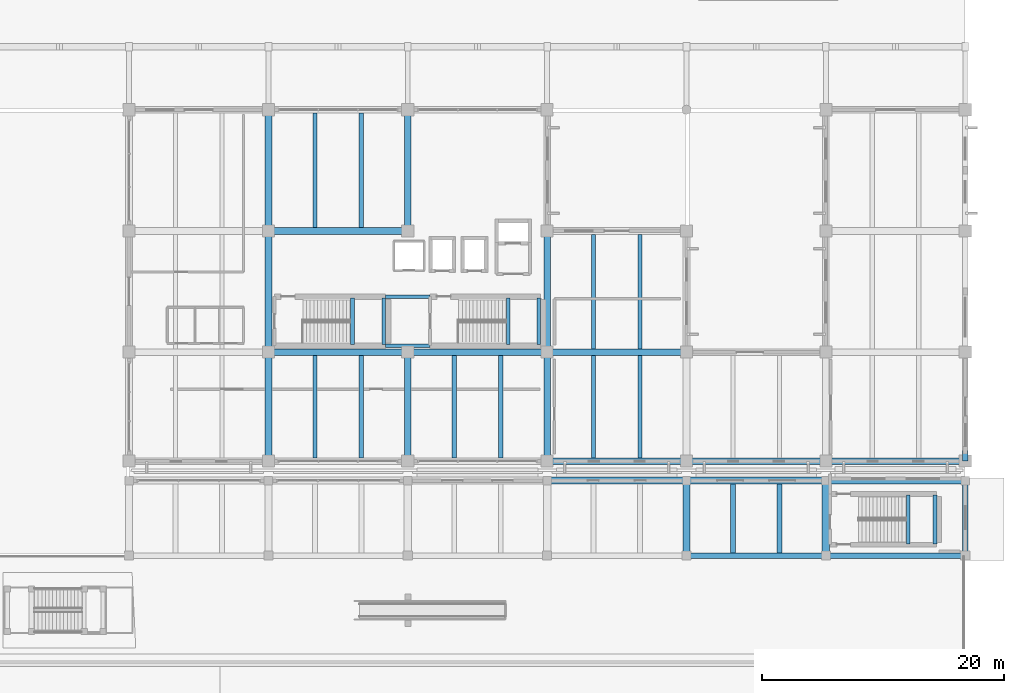
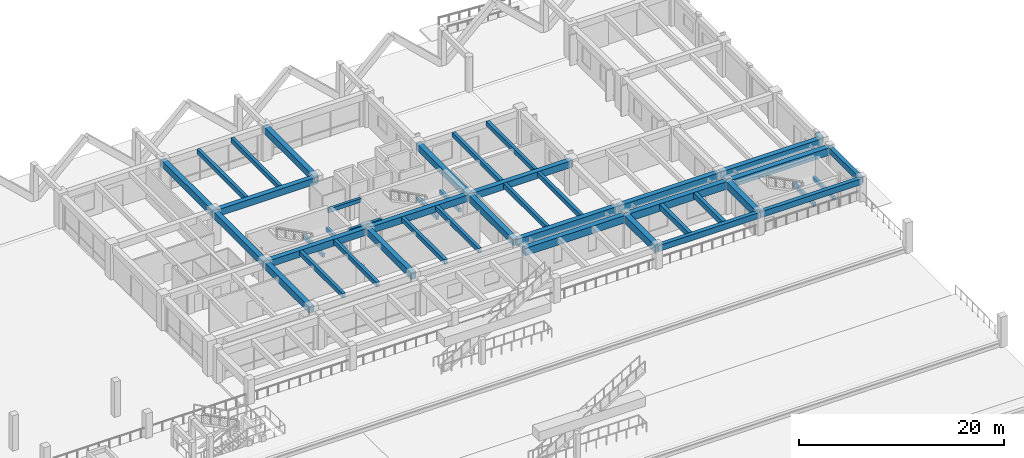
# One storey, part 67 of 109: 43 beams.
"""IFC4 building model written with IfcOpenShell, lengths in metres."""

from ifc_helpers import new_model, si_unit, direction, frame, origin, origin_2d, place, context, subcontext, project, spatial, rectangle, extrude, material, material_profile, profile_set, type_object, element, save


model = new_model("IFC4")

# Units and contexts
model_context = context("Model", 3, precision=1e-05, world=origin(), true_north=direction((0.0, 1.0)))
body_context = subcontext(model_context, "Body", "Model", "MODEL_VIEW")
ifc_project = project(units=[si_unit("LENGTHUNIT", "METRE"), si_unit("AREAUNIT", "SQUARE_METRE"), si_unit("VOLUMEUNIT", "CUBIC_METRE"), si_unit("PLANEANGLEUNIT", "RADIAN"), si_unit("MASSUNIT", "GRAM", prefix="KILO")], contexts=[model_context])

# Site, building, storey
site_placement = place(None, origin())
site = spatial("IfcSite", under=ifc_project, at=site_placement, CompositionType="ELEMENT")
building_placement = place(site_placement, origin())
building = spatial("IfcBuilding", under=site, at=building_placement, Name="Ologun Quay Terminus", CompositionType="ELEMENT")
storey_placement = place(building_placement, origin())
storey = spatial("IfcBuildingStorey", under=building, at=storey_placement, Name="L00", CompositionType="ELEMENT", Elevation=0.0)

# Beams
ifc_material_1 = material(Name="Concrete C40/50", Category="concrete")
ifc_material_profile_1 = material_profile(ifc_material_1, rectangle(XDim=0.300048828125, YDim=0.449951171875, at=origin_2d()), Name="RC 300x450")
ifc_profile_set_1 = profile_set([ifc_material_profile_1], Name="Concrete C40/50")
beam_type_1 = type_object("IfcBeamType", Name="Core Coupling Lintel Beam 300x450", PredefinedType="LINTEL", material=ifc_profile_set_1)
for number, where, z_axis, x_axis, name in (
    (1, (136.14990234375, 95.324951171875, 3.72509765625), (1.0, 0.0, 0.0), (0.0, 1.0, 0.0), "LN1 Beam 13/H L00"),
    (2, (136.14990234375, 99.375, 3.72509765625), (1.0, 0.0, 0.0), (0.0, 1.0, 0.0), "LN1 Beam 13/H L00"),
):
    element("IfcBeam", number, at=place(storey_placement, frame(where, z_axis=z_axis, x_axis=x_axis)), inside=storey, type_object=beam_type_1, Name=name, PredefinedType="LINTEL", context=body_context, shape_type="SweptSolid", body=[
        extrude(rectangle(XDim=0.300048828125, YDim=0.449951171875, at=origin_2d()), origin(), (0.0, 0.0, 1.0), 3.7001953125),
    ])
for number, where, z_axis, x_axis, name in (
    (3, (133.43994140625, 95.429931640625, 1.695068359375), (0.0, 1.0, 0.0), (-1.0, 0.0, 0.0), "LN1 Half-Landing Ledger Beam ST-E1-W L00"),
    (4, (136.010009765625, 95.429931640625, 1.695068359375), (0.0, 1.0, 0.0), (-1.0, 0.0, 0.0), "LN1 Half-Landing Ledger Beam ST-E1-E L00"),
    (5, (146.2900390625, 95.429931640625, 1.695068359375), (0.0, 1.0, 0.0), (-1.0, 0.0, 0.0), "LN1 Half-Landing Ledger Beam ST-E2-W L00"),
    (6, (148.81005859375, 95.429931640625, 1.695068359375), (0.0, 1.0, 0.0), (-1.0, 0.0, 0.0), "LN1 Half-Landing Ledger Beam ST-E2-E L00"),
):
    element("IfcBeam", number, at=place(storey_placement, frame(where, z_axis=z_axis, x_axis=x_axis)), inside=storey, type_object=beam_type_1, Name=name, PredefinedType="LINTEL", context=body_context, shape_type="SweptSolid", body=[
        extrude(rectangle(XDim=0.300048828125, YDim=0.449951171875, at=origin_2d()), origin(), (0.0, 0.0, 1.0), 3.840087890625),
    ])
for number, where, z_axis, x_axis, name in (
    (7, (179.2900390625, 78.97998046875, 1.695068359375), (0.0, 1.0, 0.0), (-1.0, 0.0, 0.0), "LN1 Half-Landing Ledger Beam ST-NG2-W L00"),
    (8, (181.510009765625, 78.97998046875, 1.695068359375), (0.0, 1.0, 0.0), (-1.0, 0.0, 0.0), "LN1 Half-Landing Ledger Beam ST-NG2-E L00"),
):
    element("IfcBeam", number, at=place(storey_placement, frame(where, z_axis=z_axis, x_axis=x_axis)), inside=storey, type_object=beam_type_1, Name=name, PredefinedType="LINTEL", context=body_context, shape_type="SweptSolid", body=[
        extrude(rectangle(XDim=0.300048828125, YDim=0.449951171875, at=origin_2d()), origin(), (0.0, 0.0, 1.0), 4.0400390625),
    ])
ifc_material_2 = material(Name="Concrete C40/50", Category="concrete")
ifc_material_profile_2 = material_profile(ifc_material_2, rectangle(XDim=0.550048828125, YDim=0.800048828125, at=origin_2d()), Name="RC 550x800")
ifc_profile_set_2 = profile_set([ifc_material_profile_2], Name="Concrete C40/50")
beam_type_2 = type_object("IfcBeamType", Name="Courtyard Wing Primary Girder 550x800", PredefinedType="BEAM", material=ifc_profile_set_2)
for number, where, z_axis, x_axis, name in (
    (9, (149.5, 85.800048828125, 3.550048828125), (1.0, 0.0, 0.0), (0.0, 1.0, 0.0), "B4 Beam 14/G2 L00"),
    (10, (161.0, 85.800048828125, 3.550048828125), (1.0, 0.0, 0.0), (0.0, 1.0, 0.0), "B4 Beam 15/G2 L00"),
    (11, (172.5, 85.800048828125, 3.550048828125), (1.0, 0.0, 0.0), (0.0, 1.0, 0.0), "B4 Beam 16/G2 L00"),
    (12, (126.5, 94.800048828125, 3.550048828125), (1.0, 0.0, 0.0), (0.0, 1.0, 0.0), "B4 Beam 12/H L00"),
    (13, (138.0, 94.800048828125, 3.550048828125), (1.0, 0.0, 0.0), (0.0, 1.0, 0.0), "B4 Beam 13/H L00"),
    (14, (149.5, 94.800048828125, 3.550048828125), (1.0, 0.0, 0.0), (0.0, 1.0, 0.0), "B4 Beam 14/H L00"),
    (15, (126.5, 104.800048828125, 3.550048828125), (1.0, 0.0, 0.0), (0.0, 1.0, 0.0), "B4 Beam 12/J L00"),
):
    element("IfcBeam", number, at=place(storey_placement, frame(where, z_axis=z_axis, x_axis=x_axis)), inside=storey, type_object=beam_type_2, Name=name, PredefinedType="BEAM", context=body_context, shape_type="SweptSolid", body=[
        extrude(rectangle(XDim=0.550048828125, YDim=0.800048828125, at=origin_2d()), origin(), (0.0, 0.0, 1.0), 11.5),
    ])
beam_1_placement = place(storey_placement, frame((126.5, 85.800048828125, 3.550048828125), z_axis=(0.0, 1.0, 0.0), x_axis=(-1.0, 0.0, 0.0)))
element("IfcBeam", 16, at=beam_1_placement, inside=storey, type_object=beam_type_2, Name="B4 Beam 12/G2 L00", PredefinedType="BEAM", context=body_context, shape_type="SweptSolid", body=[
    extrude(rectangle(XDim=0.550048828125, YDim=0.800048828125, at=origin_2d()), origin(), (0.0, 0.0, 1.0), 9.0),
])
for number, where, z_axis, x_axis, name in (
    (17, (126.5, 94.800048828125, 3.550048828125), (0.0, 1.0, 0.0), (-1.0, 0.0, 0.0), "B4 Beam 12/H L00"),
    (18, (126.5, 104.800048828125, 3.550048828125), (0.0, 1.0, 0.0), (-1.0, 0.0, 0.0), "B4 Beam 12/J L00"),
):
    element("IfcBeam", number, at=place(storey_placement, frame(where, z_axis=z_axis, x_axis=x_axis)), inside=storey, type_object=beam_type_2, Name=name, PredefinedType="BEAM", context=body_context, shape_type="SweptSolid", body=[
        extrude(rectangle(XDim=0.550048828125, YDim=0.800048828125, at=origin_2d()), origin(), (0.0, 0.0, 1.0), 10.0),
    ])
beam_2_placement = place(storey_placement, frame((138.0, 85.800048828125, 3.550048828125), z_axis=(0.0, 1.0, 0.0), x_axis=(-1.0, 0.0, 0.0)))
element("IfcBeam", 19, at=beam_2_placement, inside=storey, type_object=beam_type_2, Name="B4 Beam 13/G2 L00", PredefinedType="BEAM", context=body_context, shape_type="SweptSolid", body=[
    extrude(rectangle(XDim=0.550048828125, YDim=0.800048828125, at=origin_2d()), origin(), (0.0, 0.0, 1.0), 9.0),
])
beam_3_placement = place(storey_placement, frame((138.0, 104.800048828125, 3.550048828125), z_axis=(0.0, 1.0, 0.0), x_axis=(-1.0, 0.0, 0.0)))
element("IfcBeam", 20, at=beam_3_placement, inside=storey, type_object=beam_type_2, Name="B4 Beam 13/J L00", PredefinedType="BEAM", context=body_context, shape_type="SweptSolid", body=[
    extrude(rectangle(XDim=0.550048828125, YDim=0.800048828125, at=origin_2d()), origin(), (0.0, 0.0, 1.0), 10.0),
])
beam_4_placement = place(storey_placement, frame((149.5, 85.800048828125, 3.550048828125), z_axis=(0.0, 1.0, 0.0), x_axis=(-1.0, 0.0, 0.0)))
element("IfcBeam", 21, at=beam_4_placement, inside=storey, type_object=beam_type_2, Name="B4 Beam 14/G2 L00", PredefinedType="BEAM", context=body_context, shape_type="SweptSolid", body=[
    extrude(rectangle(XDim=0.550048828125, YDim=0.800048828125, at=origin_2d()), origin(), (0.0, 0.0, 1.0), 9.0),
])
beam_5_placement = place(storey_placement, frame((149.5, 94.800048828125, 3.550048828125), z_axis=(0.0, 1.0, 0.0), x_axis=(-1.0, 0.0, 0.0)))
element("IfcBeam", 22, at=beam_5_placement, inside=storey, type_object=beam_type_2, Name="B4 Beam 14/H L00", PredefinedType="BEAM", context=body_context, shape_type="SweptSolid", body=[
    extrude(rectangle(XDim=0.550048828125, YDim=0.800048828125, at=origin_2d()), origin(), (0.0, 0.0, 1.0), 10.0),
])
ifc_material_3 = material(Name="Concrete C40/50", Category="concrete")
ifc_material_profile_3 = material_profile(ifc_material_3, rectangle(XDim=0.35009765625, YDim=0.550048828125, at=origin_2d()), Name="RC 350x550")
ifc_profile_set_3 = profile_set([ifc_material_profile_3], Name="Concrete C40/50")
beam_type_3 = type_object("IfcBeamType", Name="Courtyard Wing Secondary Joist 350x550", PredefinedType="JOIST", material=ifc_profile_set_3)
for number, where, z_axis, x_axis, name in (
    (23, (130.333251953125, 86.074951171875, 3.675048828125), (0.0, 1.0, 0.0), (-1.0, 0.0, 0.0), "J2 Beam 12/G2 L00"),
    (24, (134.166748046875, 86.074951171875, 3.675048828125), (0.0, 1.0, 0.0), (-1.0, 0.0, 0.0), "J2 Beam 12/G2 L00"),
):
    element("IfcBeam", number, at=place(storey_placement, frame(where, z_axis=z_axis, x_axis=x_axis)), inside=storey, type_object=beam_type_3, Name=name, PredefinedType="JOIST", context=body_context, shape_type="SweptSolid", body=[
        extrude(rectangle(XDim=0.35009765625, YDim=0.550048828125, at=origin_2d()), origin(), (0.0, 0.0, 1.0), 8.449951171875),
    ])
for number, where, z_axis, x_axis, name in (
    (25, (130.333251953125, 105.074951171875, 3.675048828125), (0.0, 1.0, 0.0), (-1.0, 0.0, 0.0), "J2 Beam 12/J L00"),
    (26, (134.166748046875, 105.074951171875, 3.675048828125), (0.0, 1.0, 0.0), (-1.0, 0.0, 0.0), "J2 Beam 12/J L00"),
):
    element("IfcBeam", number, at=place(storey_placement, frame(where, z_axis=z_axis, x_axis=x_axis)), inside=storey, type_object=beam_type_3, Name=name, PredefinedType="JOIST", context=body_context, shape_type="SweptSolid", body=[
        extrude(rectangle(XDim=0.35009765625, YDim=0.550048828125, at=origin_2d()), origin(), (0.0, 0.0, 1.0), 9.449951171875),
    ])
for number, where, z_axis, x_axis, name in (
    (27, (141.833251953125, 86.074951171875, 3.675048828125), (0.0, 1.0, 0.0), (-1.0, 0.0, 0.0), "J2 Beam 13/G2 L00"),
    (28, (145.666748046875, 86.074951171875, 3.675048828125), (0.0, 1.0, 0.0), (-1.0, 0.0, 0.0), "J2 Beam 13/G2 L00"),
    (29, (153.333251953125, 86.074951171875, 3.675048828125), (0.0, 1.0, 0.0), (-1.0, 0.0, 0.0), "J2 Beam 14/G2 L00"),
    (30, (157.166748046875, 86.074951171875, 3.675048828125), (0.0, 1.0, 0.0), (-1.0, 0.0, 0.0), "J2 Beam 14/G2 L00"),
):
    element("IfcBeam", number, at=place(storey_placement, frame(where, z_axis=z_axis, x_axis=x_axis)), inside=storey, type_object=beam_type_3, Name=name, PredefinedType="JOIST", context=body_context, shape_type="SweptSolid", body=[
        extrude(rectangle(XDim=0.35009765625, YDim=0.550048828125, at=origin_2d()), origin(), (0.0, 0.0, 1.0), 8.449951171875),
    ])
for number, where, z_axis, x_axis, name in (
    (31, (153.333251953125, 95.074951171875, 3.675048828125), (0.0, 1.0, 0.0), (-1.0, 0.0, 0.0), "J2 Beam 14/H L00"),
    (32, (157.166748046875, 95.074951171875, 3.675048828125), (0.0, 1.0, 0.0), (-1.0, 0.0, 0.0), "J2 Beam 14/H L00"),
):
    element("IfcBeam", number, at=place(storey_placement, frame(where, z_axis=z_axis, x_axis=x_axis)), inside=storey, type_object=beam_type_3, Name=name, PredefinedType="JOIST", context=body_context, shape_type="SweptSolid", body=[
        extrude(rectangle(XDim=0.35009765625, YDim=0.550048828125, at=origin_2d()), origin(), (0.0, 0.0, 1.0), 9.449951171875),
    ])
ifc_material_4 = material(Name="Concrete C40/50", Category="concrete")
ifc_material_profile_4 = material_profile(ifc_material_4, rectangle(XDim=0.449951171875, YDim=0.699951171875, at=origin_2d()), Name="RC 450x700")
ifc_profile_set_4 = profile_set([ifc_material_profile_4], Name="Concrete C40/50")
beam_type_4 = type_object("IfcBeamType", Name="Perimeter Spandrel Beam 450x700", PredefinedType="SPANDREL", material=ifc_profile_set_4)
for number, where, z_axis, x_axis, name in (
    (33, (161.0, 78.0, 3.550048828125), (1.0, 0.0, 0.0), (0.0, 1.0, 0.0), "SP1 Beam 15/F L00"),
    (34, (172.5, 78.0, 3.550048828125), (1.0, 0.0, 0.0), (0.0, 1.0, 0.0), "SP1 Beam 16/F L00"),
):
    element("IfcBeam", number, at=place(storey_placement, frame(where, z_axis=z_axis, x_axis=x_axis)), inside=storey, type_object=beam_type_4, Name=name, PredefinedType="SPANDREL", context=body_context, shape_type="SweptSolid", body=[
        extrude(rectangle(XDim=0.449951171875, YDim=0.699951171875, at=origin_2d()), origin(), (0.0, 0.0, 1.0), 11.5),
    ])
beam_6_placement = place(storey_placement, frame((184.0, 78.0, 3.550048828125), z_axis=(0.0, 1.0, 0.0), x_axis=(-1.0, 0.0, 0.0)))
element("IfcBeam", 35, at=beam_6_placement, inside=storey, type_object=beam_type_4, Name="SP1 Beam 17/F L00", PredefinedType="SPANDREL", context=body_context, shape_type="SweptSolid", body=[
    extrude(rectangle(XDim=0.449951171875, YDim=0.699951171875, at=origin_2d()), origin(), (0.0, 0.0, 1.0), 6.199951171875),
])
beam_7_placement = place(storey_placement, frame((184.0, 85.800048828125, 3.60009765625), z_axis=(0.0, 1.0, 0.0), x_axis=(-1.0, 0.0, 0.0)))
element("IfcBeam", 36, at=beam_7_placement, inside=storey, type_object=beam_type_4, Name="SP1 Beam 17/G2 L00", PredefinedType="SPANDREL", context=body_context, shape_type="SweptSolid", body=[
    extrude(rectangle(XDim=0.449951171875, YDim=0.699951171875, at=origin_2d()), origin(), (0.0, 0.0, 1.0), 0.89990234375),
])
ifc_material_5 = material(Name="Concrete C40/50", Category="concrete")
ifc_material_profile_5 = material_profile(ifc_material_5, rectangle(XDim=0.60009765625, YDim=0.89990234375, at=origin_2d()), Name="RC 600x900")
ifc_profile_set_5 = profile_set([ifc_material_profile_5], Name="Concrete C40/50")
beam_type_5 = type_object("IfcBeamType", Name="Station Frame Girder 600x900", PredefinedType="BEAM", material=ifc_profile_set_5)
for number, where, z_axis, x_axis, name in (
    (37, (149.5, 84.199951171875, 3.449951171875), (1.0, 0.0, 0.0), (0.0, 1.0, 0.0), "B3 Beam 14/G1 L00"),
    (38, (161.0, 84.199951171875, 3.449951171875), (1.0, 0.0, 0.0), (0.0, 1.0, 0.0), "B3 Beam 15/G1 L00"),
    (39, (172.5, 84.199951171875, 3.449951171875), (1.0, 0.0, 0.0), (0.0, 1.0, 0.0), "B3 Beam 16/G1 L00"),
):
    element("IfcBeam", number, at=place(storey_placement, frame(where, z_axis=z_axis, x_axis=x_axis)), inside=storey, type_object=beam_type_5, Name=name, PredefinedType="BEAM", context=body_context, shape_type="SweptSolid", body=[
        extrude(rectangle(XDim=0.60009765625, YDim=0.89990234375, at=origin_2d()), origin(), (0.0, 0.0, 1.0), 11.5),
    ])
for number, where, z_axis, x_axis, name in (
    (40, (161.0, 78.0, 3.449951171875), (0.0, 1.0, 0.0), (-1.0, 0.0, 0.0), "B3 Beam 15/F L00"),
    (41, (172.5, 78.0, 3.449951171875), (0.0, 1.0, 0.0), (-1.0, 0.0, 0.0), "B3 Beam 16/F L00"),
):
    element("IfcBeam", number, at=place(storey_placement, frame(where, z_axis=z_axis, x_axis=x_axis)), inside=storey, type_object=beam_type_5, Name=name, PredefinedType="BEAM", context=body_context, shape_type="SweptSolid", body=[
        extrude(rectangle(XDim=0.60009765625, YDim=0.89990234375, at=origin_2d()), origin(), (0.0, 0.0, 1.0), 6.199951171875),
    ])
ifc_material_6 = material(Name="Concrete C40/50", Category="concrete")
ifc_material_profile_6 = material_profile(ifc_material_6, rectangle(XDim=0.39990234375, YDim=0.64990234375, at=origin_2d()), Name="RC 400x650")
ifc_profile_set_6 = profile_set([ifc_material_profile_6], Name="Concrete C40/50")
beam_type_6 = type_object("IfcBeamType", Name="Station Secondary Joist 400x650", PredefinedType="JOIST", material=ifc_profile_set_6)
for number, where, z_axis, x_axis, name in (
    (42, (164.833251953125, 78.22509765625, 3.574951171875), (0.0, 1.0, 0.0), (-1.0, 0.0, 0.0), "J1 Beam 15/F L00"),
    (43, (168.666748046875, 78.22509765625, 3.574951171875), (0.0, 1.0, 0.0), (-1.0, 0.0, 0.0), "J1 Beam 15/F L00"),
):
    element("IfcBeam", number, at=place(storey_placement, frame(where, z_axis=z_axis, x_axis=x_axis)), inside=storey, type_object=beam_type_6, Name=name, PredefinedType="JOIST", context=body_context, shape_type="SweptSolid", body=[
        extrude(rectangle(XDim=0.39990234375, YDim=0.64990234375, at=origin_2d()), origin(), (0.0, 0.0, 1.0), 5.6748046875),
    ])

save(model, "model.ifc")
